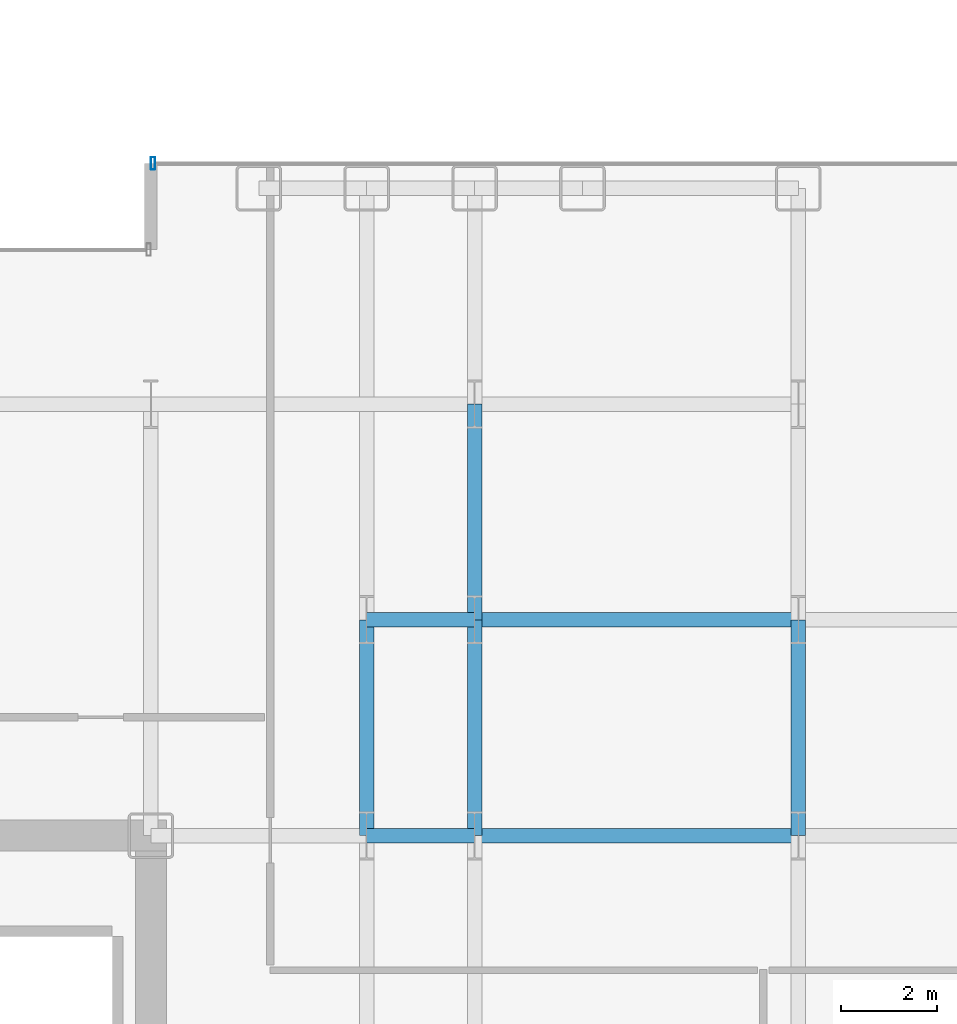
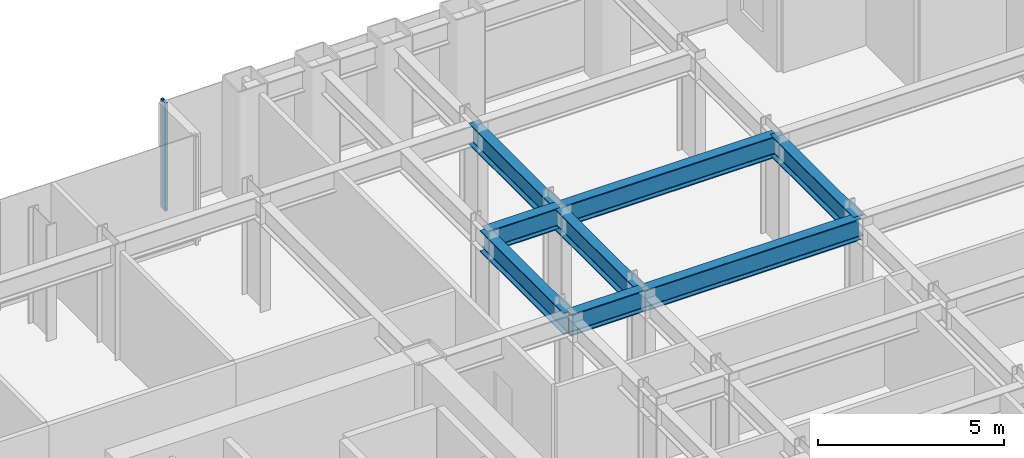
# One storey, part 15 of 29: 8 beams, 1 member, 1 element without a shape of its own.
"""IFC4 building model written with IfcOpenShell, lengths in metres."""

from ifc_helpers import new_model, si_unit, direction, frame, origin, origin_2d, place, context, subcontext, project, spatial, hollow_rectangle, i_section, extrude, source, transform, mapped, material, layer, layer_set, material_profile, profile_set, type_object, element, aggregate, save


model = new_model("IFC4")

# Units and contexts
model_context = context("Model", 3, precision=1e-05, world=origin(), true_north=direction((0.0, 1.0)))
body_context = subcontext(model_context, "Body", "Model", "MODEL_VIEW")
ifc_project = project(units=[si_unit("LENGTHUNIT", "METRE"), si_unit("AREAUNIT", "SQUARE_METRE"), si_unit("VOLUMEUNIT", "CUBIC_METRE"), si_unit("PLANEANGLEUNIT", "RADIAN"), si_unit("MASSUNIT", "GRAM", prefix="KILO")], contexts=[model_context])

# Site, building, storey
site_placement = place(None, origin())
site = spatial("IfcSite", under=ifc_project, at=site_placement, CompositionType="ELEMENT")
building_placement = place(site_placement, origin())
building = spatial("IfcBuilding", under=site, at=building_placement, Name="Nefas-Gora Pilgrimage Tower", CompositionType="ELEMENT")
storey_placement = place(building_placement, frame((0.0, 0.0, 44.39990234375)))
storey = spatial("IfcBuildingStorey", under=building, at=storey_placement, Name="L09", CompositionType="ELEMENT", Elevation=44.39990234375)

# Beams
ifc_material_1 = material(Name="Steel S355", Category="steel")
ifc_material_profile_1 = material_profile(ifc_material_1, i_section(OverallWidth=0.300048828125, OverallDepth=0.699951171875, WebThickness=0.01708984375, FlangeThickness=0.031982421875, FilletRadius=0.027099609375, at=origin_2d()), Name="HEB 700")
ifc_profile_set_1 = profile_set([ifc_material_profile_1], Name="Steel S355")
beam_type = type_object("IfcBeamType", Name="BM-GIR-HEB700", PredefinedType="BEAM", material=ifc_profile_set_1)
shared_shape_1 = source(origin(), body_context, "Body", "SweptSolid", [
    extrude(i_section(OverallWidth=0.300048828125, OverallDepth=0.699951171875, WebThickness=0.01708984375, FlangeThickness=0.031982421875, FilletRadius=0.027099609375, at=origin_2d()), origin(), (0.0, 0.0, 1.0), 4.5),
])
for number, where, z_axis, x_axis, name in (
    (1, (15.75, 9.0, 3.2001953125), (0.0, 1.0, 0.0), (-1.0, 0.0, 0.0), "L09 G-02 beam"),
    (2, (18.0, 9.0, 3.2001953125), (0.0, 1.0, 0.0), (-1.0, 0.0, 0.0), "L09 G-02 beam"),
    (3, (18.0, 13.5, 3.2001953125), (0.0, 1.0, 0.0), (-1.0, 0.0, 0.0), "L09 G-02 beam"),
    (4, (24.75, 9.0, 3.2001953125), (0.0, 1.0, 0.0), (-1.0, 0.0, 0.0), "L09 G-02 beam"),
):
    element("IfcBeam", number, at=place(storey_placement, frame(where, z_axis=z_axis, x_axis=x_axis)), inside=storey, type_object=beam_type, Name=name, PredefinedType="BEAM", context=body_context, shape_type="MappedRepresentation", body=[
        mapped(shared_shape_1, transform((0.0, 0.0, 0.0), x_axis=(1.0, 0.0, 0.0), y_axis=(0.0, 1.0, 0.0), z_axis=(0.0, 0.0, 1.0), scale=1.0)),
    ])
shared_shape_2 = source(origin(), body_context, "Body", "SweptSolid", [
    extrude(i_section(OverallWidth=0.300048828125, OverallDepth=0.699951171875, WebThickness=0.01708984375, FlangeThickness=0.031982421875, FilletRadius=0.027099609375, at=origin_2d()), origin(), (0.0, 0.0, 1.0), 6.75),
])
for number, where, z_axis, x_axis, name in (
    (5, (18.0, 9.0, 3.2001953125), (1.0, 0.0, 0.0), (0.0, 1.0, 0.0), "L09 G-02 beam"),
    (6, (18.0, 13.5, 3.2001953125), (1.0, 0.0, 0.0), (0.0, 1.0, 0.0), "L09 G-02 beam"),
):
    element("IfcBeam", number, at=place(storey_placement, frame(where, z_axis=z_axis, x_axis=x_axis)), inside=storey, type_object=beam_type, Name=name, PredefinedType="BEAM", context=body_context, shape_type="MappedRepresentation", body=[
        mapped(shared_shape_2, transform((0.0, 0.0, 0.0), x_axis=(1.0, 0.0, 0.0), y_axis=(0.0, 1.0, 0.0), z_axis=(0.0, 0.0, 1.0), scale=1.0)),
    ])
shared_shape_3 = source(origin(), body_context, "Body", "SweptSolid", [
    extrude(i_section(OverallWidth=0.300048828125, OverallDepth=0.699951171875, WebThickness=0.01708984375, FlangeThickness=0.031982421875, FilletRadius=0.027099609375, at=origin_2d()), origin(), (0.0, 0.0, 1.0), 2.25),
])
for number, where, z_axis, x_axis, name in (
    (7, (15.75, 9.0, 3.2001953125), (1.0, 0.0, 0.0), (0.0, 1.0, 0.0), "L09 G-02 beam"),
    (8, (15.75, 13.5, 3.2001953125), (1.0, 0.0, 0.0), (0.0, 1.0, 0.0), "L09 G-02 beam"),
):
    element("IfcBeam", number, at=place(storey_placement, frame(where, z_axis=z_axis, x_axis=x_axis)), inside=storey, type_object=beam_type, Name=name, PredefinedType="BEAM", context=body_context, shape_type="MappedRepresentation", body=[
        mapped(shared_shape_3, transform((0.0, 0.0, 0.0), x_axis=(1.0, 0.0, 0.0), y_axis=(0.0, 1.0, 0.0), z_axis=(0.0, 0.0, 1.0), scale=1.0)),
    ])

# Curtain wall, member
ifc_material_2 = material(Name="Dark ceramic-fritted solar-control aluminium-glass curtain wall", Category="aluminium")
ifc_layer = layer(ifc_material_2, 0.219970703125)
ifc_layer_set = layer_set([ifc_layer], Name="Dark ceramic-fritted solar-control aluminium-glass curtain wall")
curtain_wall_type = type_object("IfcCurtainWallType", Name="CW-SYS-2", PredefinedType="NOTDEFINED", material=ifc_layer_set)
curtain_wall_placement = place(storey_placement, origin())
curtain_wall = element("IfcCurtainWall", 9, at=curtain_wall_placement, inside=storey, type_object=curtain_wall_type, Name="L09 Unitised Curtain Wall CW2", PredefinedType="NOTDEFINED")
ifc_material_3 = material(Name="Anodised architectural aluminium", Category="aluminium")
ifc_material_profile_2 = material_profile(ifc_material_3, hollow_rectangle(XDim=0.090087890625, YDim=0.260009765625, WallThickness=0.006103515625, InnerFilletRadius=0.006103515625, OuterFilletRadius=0.011962890625, at=origin_2d()), Name="ALU MULLION 90x260")
ifc_profile_set_2 = profile_set([ifc_material_profile_2], Name="Anodised architectural aluminium")
member_type = type_object("IfcMemberType", Name="CWM-MUL-2", PredefinedType="MULLION", material=ifc_profile_set_2)
shared_shape_4 = source(origin(), body_context, "Body", "SweptSolid", [
    extrude(hollow_rectangle(XDim=0.090087890625, YDim=0.260009765625, WallThickness=0.006103515625, InnerFilletRadius=0.006103515625, OuterFilletRadius=0.011962890625, at=origin_2d()), origin(), (0.0, 0.0, 1.0), 3.550048828125),
])
member_placement = place(storey_placement, frame((11.294921875, 23.02001953125, 0.0), z_axis=(0.0, 0.0, 1.0), x_axis=(-1.0, 0.0, 0.0)))
member = element("IfcMember", 10, at=member_placement, type_object=member_type, Name="CW2 Mullion 2", PredefinedType="MULLION", context=body_context, shape_type="MappedRepresentation", body=[
    mapped(shared_shape_4, transform((0.0, 0.0, 0.0), x_axis=(1.0, 0.0, 0.0), y_axis=(0.0, 1.0, 0.0), z_axis=(0.0, 0.0, 1.0), scale=1.0)),
])
aggregate(curtain_wall, [member])

save(model, "model.ifc")
